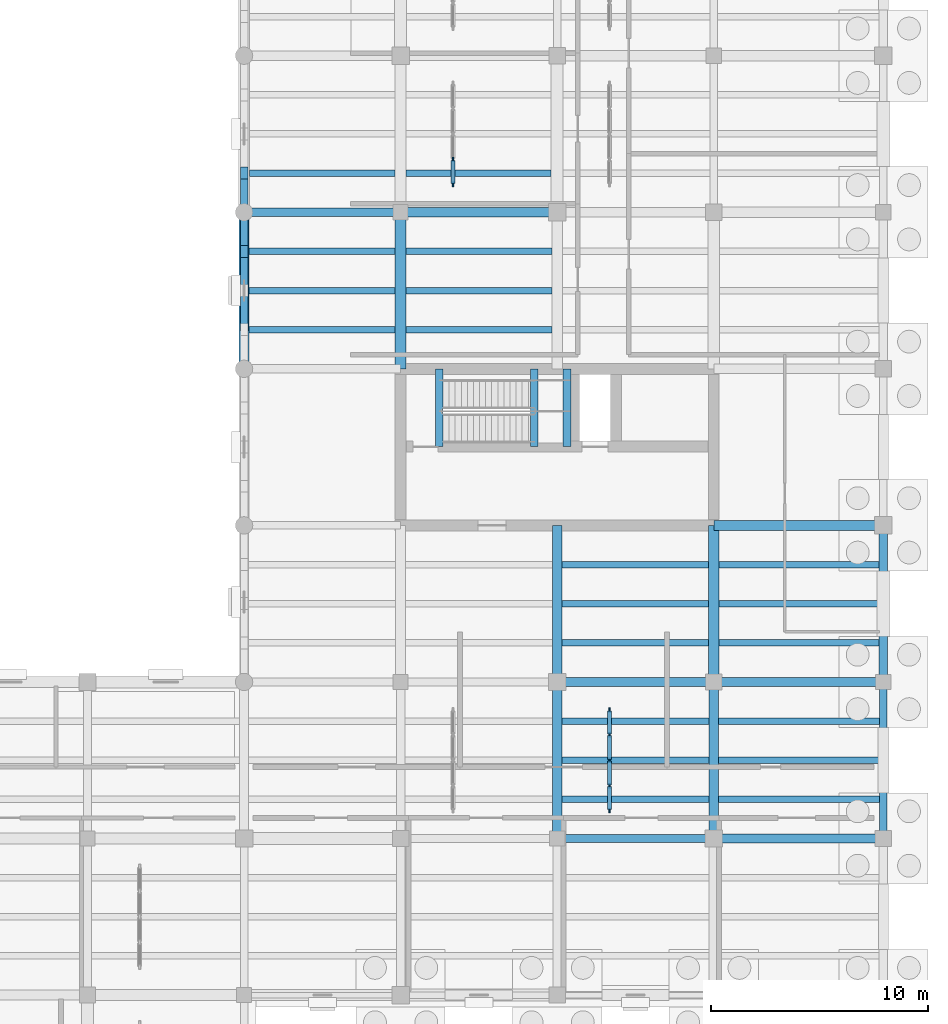
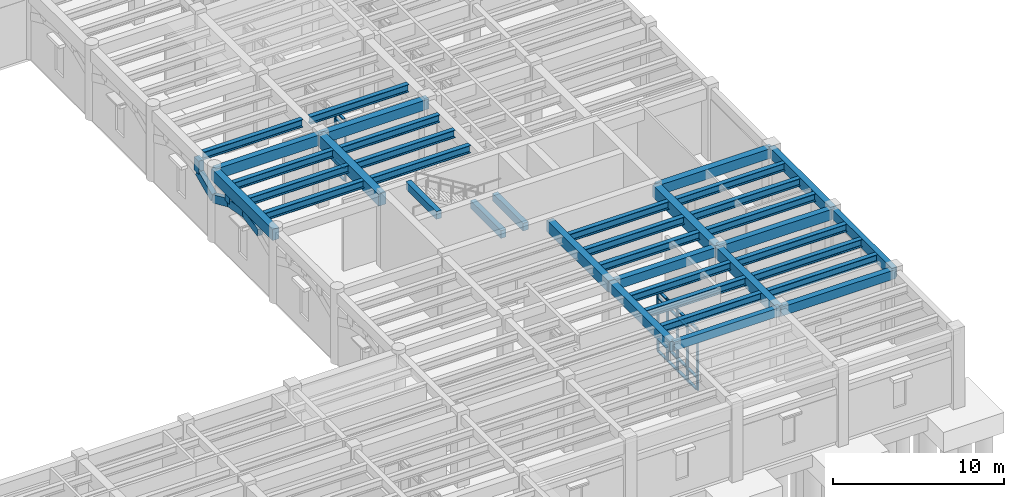
# One storey, part 39 of 100: 38 beams, 33 members, 2 elements without a shape of their own.
"""IFC4 building model written with IfcOpenShell, lengths in metres."""

from ifc_helpers import new_model, si_unit, direction, frame, origin, origin_2d, place, context, subcontext, project, spatial, rectangle, i_section, extrude, material, material_profile, profile_set, type_object, element, aggregate, save


model = new_model("IFC4")

# Units and contexts
model_context = context("Model", 3, precision=1e-05, world=origin(), true_north=direction((0.0, 1.0)))
body_context = subcontext(model_context, "Body", "Model", "MODEL_VIEW")
ifc_project = project(units=[si_unit("LENGTHUNIT", "METRE"), si_unit("AREAUNIT", "SQUARE_METRE"), si_unit("VOLUMEUNIT", "CUBIC_METRE"), si_unit("PLANEANGLEUNIT", "RADIAN"), si_unit("MASSUNIT", "GRAM", prefix="KILO")], contexts=[model_context])

# Site, building, storey
site_placement = place(None, origin())
site = spatial("IfcSite", under=ifc_project, at=site_placement, CompositionType="ELEMENT")
building_placement = place(site_placement, origin())
building = spatial("IfcBuilding", under=site, at=building_placement, Name="Mithqara Police Headquarters", CompositionType="ELEMENT")
storey_placement = place(building_placement, origin())
storey = spatial("IfcBuildingStorey", under=building, at=storey_placement, Name="L00", CompositionType="ELEMENT", Elevation=0.0)

# Members
ifc_material_1 = material(Name="Concrete C50/60", Category="concrete")
ifc_material_profile_1 = material_profile(ifc_material_1, rectangle(XDim=0.35009765625, YDim=0.550048828125, at=origin_2d()), Name="ARC 350x550")
ifc_profile_set_1 = profile_set([ifc_material_profile_1], Name="Concrete C50/60")
member_type_1 = type_object("IfcMemberType", Name="ARCH SEG 350X550", PredefinedType="STRUT", material=ifc_profile_set_1)
member_1_placement = place(storey_placement, frame((144.60009765625, 51.60009765625, 3.76318359375), z_axis=(0.0, 0.982926483452, 0.183998717738), x_axis=(-1.0, 0.0, 0.0)))
element("IfcMember", 1, at=member_1_placement, inside=storey, type_object=member_type_1, Name="East Courtyard Cloister Bay 3 Ottoman Arch Chord 2", PredefinedType="STRUT", context=body_context, shape_type="SweptSolid", body=[
    extrude(rectangle(XDim=0.35009765625, YDim=0.550048828125, at=origin_2d()), origin(), (0.0, 0.0, 1.0), 1.8310546875),
])
member_2_placement = place(storey_placement, frame((144.60009765625, 53.39990234375, 4.10009765625), z_axis=(0.0, 0.982930996603, -0.183974606715), x_axis=(-1.0, 0.0, 0.0)))
element("IfcMember", 2, at=member_2_placement, inside=storey, type_object=member_type_1, Name="East Courtyard Cloister Bay 3 Ottoman Arch Chord 3", PredefinedType="STRUT", context=body_context, shape_type="SweptSolid", body=[
    extrude(rectangle(XDim=0.35009765625, YDim=0.550048828125, at=origin_2d()), origin(), (0.0, 0.0, 1.0), 1.831298828125),
])
member_3_placement = place(storey_placement, frame((144.60009765625, 55.199951171875, 3.76318359375), z_axis=(0.0, 0.911312261811, -0.411715874691), x_axis=(-1.0, 0.0, 0.0)))
element("IfcMember", 3, at=member_3_placement, inside=storey, type_object=member_type_1, Name="East Courtyard Cloister Bay 3 Ottoman Arch Chord 4", PredefinedType="STRUT", context=body_context, shape_type="SweptSolid", body=[
    extrude(rectangle(XDim=0.35009765625, YDim=0.550048828125, at=origin_2d()), origin(), (0.0, 0.0, 1.0), 1.975341796875),
])
member_4_placement = place(storey_placement, frame((144.60009765625, 55.199951171875, 3.76318359375), z_axis=(0.0, 0.0, 1.0), x_axis=(1.0, 0.0, 0.0)))
element("IfcMember", 4, at=member_4_placement, inside=storey, type_object=member_type_1, Name="East Courtyard Cloister Bay 3 Arch Spandrel Post 3", PredefinedType="STRUT", context=body_context, shape_type="SweptSolid", body=[
    extrude(rectangle(XDim=0.35009765625, YDim=0.550048828125, at=origin_2d()), origin(), (0.0, 0.0, 1.0), 0.956787109375),
])
member_5_placement = place(storey_placement, frame((144.60009765625, 57.0, 2.949951171875), z_axis=(0.0, 0.911312261811, 0.411715874691), x_axis=(-1.0, 0.0, 0.0)))
element("IfcMember", 5, at=member_5_placement, inside=storey, type_object=member_type_1, Name="East Courtyard Cloister Bay 4 Ottoman Arch Chord 1", PredefinedType="STRUT", context=body_context, shape_type="SweptSolid", body=[
    extrude(rectangle(XDim=0.35009765625, YDim=0.550048828125, at=origin_2d()), origin(), (0.0, 0.0, 1.0), 1.975341796875),
])
member_6_placement = place(storey_placement, frame((144.60009765625, 58.800048828125, 3.76318359375), z_axis=(0.0, 0.0, 1.0), x_axis=(1.0, 0.0, 0.0)))
element("IfcMember", 6, at=member_6_placement, inside=storey, type_object=member_type_1, Name="East Courtyard Cloister Bay 4 Arch Spandrel Post 1", PredefinedType="STRUT", context=body_context, shape_type="SweptSolid", body=[
    extrude(rectangle(XDim=0.35009765625, YDim=0.550048828125, at=origin_2d()), origin(), (0.0, 0.0, 1.0), 0.931884765625),
])

# Beams
ifc_material_2 = material(Name="Steel S355JR", Category="steel")
ifc_material_profile_2 = material_profile(ifc_material_2, i_section(OverallWidth=0.300048828125, OverallDepth=0.550048828125, WebThickness=0.014892578125, FlangeThickness=0.029052734375, FilletRadius=0.027099609375, at=origin_2d()), Name="HEB 550")
ifc_profile_set_2 = profile_set([ifc_material_profile_2], Name="Steel S355JR")
beam_type_1 = type_object("IfcBeamType", Name="BEAM HEB550", PredefinedType="BEAM", material=ifc_profile_set_2)
for number, where, z_axis, x_axis, name in (
    (7, (144.824951171875, 51.60009765625, 4.844970703125), (1.0, 0.0, 0.0), (0.0, 1.0, 0.0), "L00 Composite Steel Joist 21-22/H.1"),
    (8, (144.824951171875, 53.39990234375, 4.844970703125), (1.0, 0.0, 0.0), (0.0, 1.0, 0.0), "L00 Composite Steel Joist 21-22/H.2"),
    (9, (144.824951171875, 55.199951171875, 4.844970703125), (1.0, 0.0, 0.0), (0.0, 1.0, 0.0), "L00 Composite Steel Joist 21-22/H.3"),
):
    element("IfcBeam", number, at=place(storey_placement, frame(where, z_axis=z_axis, x_axis=x_axis)), inside=storey, type_object=beam_type_1, Name=name, PredefinedType="BEAM", context=body_context, shape_type="SweptSolid", body=[
        extrude(i_section(OverallWidth=0.300048828125, OverallDepth=0.550048828125, WebThickness=0.014892578125, FlangeThickness=0.029052734375, FilletRadius=0.027099609375, at=origin_2d()), origin(), (0.0, 0.0, 1.0), 6.72509765625),
    ])
for number, where, z_axis, x_axis, name in (
    (10, (144.85009765625, 58.800048828125, 4.844970703125), (1.0, 0.0, 0.0), (0.0, 1.0, 0.0), "L00 Composite Steel Joist 21-22/J.1"),
    (11, (152.050048828125, 51.60009765625, 4.844970703125), (1.0, 0.0, 0.0), (0.0, 1.0, 0.0), "L00 Composite Steel Joist 22-23/H.1"),
    (12, (152.050048828125, 53.39990234375, 4.844970703125), (1.0, 0.0, 0.0), (0.0, 1.0, 0.0), "L00 Composite Steel Joist 22-23/H.2"),
    (13, (152.050048828125, 55.199951171875, 4.844970703125), (1.0, 0.0, 0.0), (0.0, 1.0, 0.0), "L00 Composite Steel Joist 22-23/H.3"),
):
    element("IfcBeam", number, at=place(storey_placement, frame(where, z_axis=z_axis, x_axis=x_axis)), inside=storey, type_object=beam_type_1, Name=name, PredefinedType="BEAM", context=body_context, shape_type="SweptSolid", body=[
        extrude(i_section(OverallWidth=0.300048828125, OverallDepth=0.550048828125, WebThickness=0.014892578125, FlangeThickness=0.029052734375, FilletRadius=0.027099609375, at=origin_2d()), origin(), (0.0, 0.0, 1.0), 6.699951171875),
    ])
beam_1_placement = place(storey_placement, frame((152.050048828125, 58.800048828125, 4.844970703125), z_axis=(1.0, 0.0, 0.0), x_axis=(0.0, 1.0, 0.0)))
element("IfcBeam", 14, at=beam_1_placement, inside=storey, type_object=beam_type_1, Name="L00 Composite Steel Joist 22-23/J.1", PredefinedType="BEAM", context=body_context, shape_type="SweptSolid", body=[
    extrude(i_section(OverallWidth=0.300048828125, OverallDepth=0.550048828125, WebThickness=0.014892578125, FlangeThickness=0.029052734375, FilletRadius=0.027099609375, at=origin_2d()), origin(), (0.0, 0.0, 1.0), 6.675048828125),
])
for number, where, z_axis, x_axis, name in (
    (15, (159.22509765625, 30.0, 4.844970703125), (1.0, 0.0, 0.0), (0.0, 1.0, 0.0), "L00 Composite Steel Joist 23-24/E.1"),
    (16, (159.22509765625, 31.800048828125, 4.844970703125), (1.0, 0.0, 0.0), (0.0, 1.0, 0.0), "L00 Composite Steel Joist 23-24/E.2"),
    (17, (159.22509765625, 33.60009765625, 4.844970703125), (1.0, 0.0, 0.0), (0.0, 1.0, 0.0), "L00 Composite Steel Joist 23-24/E.3"),
):
    element("IfcBeam", number, at=place(storey_placement, frame(where, z_axis=z_axis, x_axis=x_axis)), inside=storey, type_object=beam_type_1, Name=name, PredefinedType="BEAM", context=body_context, shape_type="SweptSolid", body=[
        extrude(i_section(OverallWidth=0.300048828125, OverallDepth=0.550048828125, WebThickness=0.014892578125, FlangeThickness=0.029052734375, FilletRadius=0.027099609375, at=origin_2d()), origin(), (0.0, 0.0, 1.0), 6.75),
    ])
for number, where, z_axis, x_axis, name in (
    (18, (159.22509765625, 37.199951171875, 4.844970703125), (1.0, 0.0, 0.0), (0.0, 1.0, 0.0), "L00 Composite Steel Joist 23-24/F.1"),
    (19, (159.22509765625, 39.0, 4.844970703125), (1.0, 0.0, 0.0), (0.0, 1.0, 0.0), "L00 Composite Steel Joist 23-24/F.2"),
    (20, (159.22509765625, 40.800048828125, 4.844970703125), (1.0, 0.0, 0.0), (0.0, 1.0, 0.0), "L00 Composite Steel Joist 23-24/F.3"),
):
    element("IfcBeam", number, at=place(storey_placement, frame(where, z_axis=z_axis, x_axis=x_axis)), inside=storey, type_object=beam_type_1, Name=name, PredefinedType="BEAM", context=body_context, shape_type="SweptSolid", body=[
        extrude(i_section(OverallWidth=0.300048828125, OverallDepth=0.550048828125, WebThickness=0.014892578125, FlangeThickness=0.029052734375, FilletRadius=0.027099609375, at=origin_2d()), origin(), (0.0, 0.0, 1.0), 6.724853515625),
    ])
for number, where, z_axis, x_axis, name in (
    (21, (166.425048828125, 30.0, 4.844970703125), (1.0, 0.0, 0.0), (0.0, 1.0, 0.0), "L00 Composite Steel Joist 24-25/E.1"),
    (22, (166.425048828125, 31.800048828125, 4.844970703125), (1.0, 0.0, 0.0), (0.0, 1.0, 0.0), "L00 Composite Steel Joist 24-25/E.2"),
    (23, (166.425048828125, 33.60009765625, 4.844970703125), (1.0, 0.0, 0.0), (0.0, 1.0, 0.0), "L00 Composite Steel Joist 24-25/E.3"),
):
    element("IfcBeam", number, at=place(storey_placement, frame(where, z_axis=z_axis, x_axis=x_axis)), inside=storey, type_object=beam_type_1, Name=name, PredefinedType="BEAM", context=body_context, shape_type="SweptSolid", body=[
        extrude(i_section(OverallWidth=0.300048828125, OverallDepth=0.550048828125, WebThickness=0.014892578125, FlangeThickness=0.029052734375, FilletRadius=0.027099609375, at=origin_2d()), origin(), (0.0, 0.0, 1.0), 7.39990234375),
    ])
for number, where, z_axis, x_axis, name in (
    (24, (166.449951171875, 37.199951171875, 4.844970703125), (1.0, 0.0, 0.0), (0.0, 1.0, 0.0), "L00 Composite Steel Joist 24-25/F.1"),
    (25, (166.449951171875, 39.0, 4.844970703125), (1.0, 0.0, 0.0), (0.0, 1.0, 0.0), "L00 Composite Steel Joist 24-25/F.2"),
    (26, (166.449951171875, 40.800048828125, 4.844970703125), (1.0, 0.0, 0.0), (0.0, 1.0, 0.0), "L00 Composite Steel Joist 24-25/F.3"),
):
    element("IfcBeam", number, at=place(storey_placement, frame(where, z_axis=z_axis, x_axis=x_axis)), inside=storey, type_object=beam_type_1, Name=name, PredefinedType="BEAM", context=body_context, shape_type="SweptSolid", body=[
        extrude(i_section(OverallWidth=0.300048828125, OverallDepth=0.550048828125, WebThickness=0.014892578125, FlangeThickness=0.029052734375, FilletRadius=0.027099609375, at=origin_2d()), origin(), (0.0, 0.0, 1.0), 7.35009765625),
    ])
ifc_material_3 = material(Name="Concrete C40/50", Category="concrete")
ifc_material_profile_3 = material_profile(ifc_material_3, rectangle(XDim=0.35009765625, YDim=0.550048828125, at=origin_2d()), Name="RC 350x550")
ifc_profile_set_3 = profile_set([ifc_material_profile_3], Name="Concrete C40/50")
beam_type_2 = type_object("IfcBeamType", Name="BEAM RC350X550", PredefinedType="BEAM", material=ifc_profile_set_3)
for number, where, z_axis, x_axis, name in (
    (27, (157.949951171875, 46.219970703125, 2.235107421875), (0.0, 1.0, 0.0), (-1.0, 0.0, 0.0), "L00 ST-04 Half-Landing Bearer LF"),
    (28, (159.449951171875, 46.219970703125, 2.235107421875), (0.0, 1.0, 0.0), (-1.0, 0.0, 0.0), "L00 ST-04 Half-Landing Bearer LB"),
    (29, (153.576904296875, 46.219970703125, 5.125), (0.0, 1.0, 0.0), (-1.0, 0.0, 0.0), "L00 ST-04 Stairwell Trimmer Beam"),
):
    element("IfcBeam", number, at=place(storey_placement, frame(where, z_axis=z_axis, x_axis=x_axis)), inside=storey, type_object=beam_type_2, Name=name, PredefinedType="BEAM", context=body_context, shape_type="SweptSolid", body=[
        extrude(rectangle(XDim=0.35009765625, YDim=0.550048828125, at=origin_2d()), origin(), (0.0, 0.0, 1.0), 3.580078125),
    ])
ifc_material_profile_4 = material_profile(ifc_material_3, rectangle(XDim=0.35009765625, YDim=0.60009765625, at=origin_2d()), Name="RC 350x600")
ifc_profile_set_4 = profile_set([ifc_material_profile_4], Name="Concrete C40/50")
beam_type_3 = type_object("IfcBeamType", Name="BEAM RC350X600", PredefinedType="BEAM", material=ifc_profile_set_4)
beam_2_placement = place(storey_placement, frame((159.0, 28.199951171875, 4.820068359375), z_axis=(1.0, 0.0, 0.0), x_axis=(0.0, 1.0, 0.0)))
element("IfcBeam", 30, at=beam_2_placement, inside=storey, type_object=beam_type_3, Name="L00 Girder 23-24/E", PredefinedType="BEAM", context=body_context, shape_type="SweptSolid", body=[
    extrude(rectangle(XDim=0.35009765625, YDim=0.60009765625, at=origin_2d()), origin(), (0.0, 0.0, 1.0), 7.199951171875),
])
ifc_material_profile_5 = material_profile(ifc_material_3, rectangle(XDim=0.39990234375, YDim=0.64990234375, at=origin_2d()), Name="RC 400x650")
ifc_profile_set_5 = profile_set([ifc_material_profile_5], Name="Concrete C40/50")
beam_type_4 = type_object("IfcBeamType", Name="BEAM RC400X650", PredefinedType="BEAM", material=ifc_profile_set_5)
beam_3_placement = place(storey_placement, frame((159.0, 35.39990234375, 4.794921875), z_axis=(1.0, 0.0, 0.0), x_axis=(0.0, 1.0, 0.0)))
element("IfcBeam", 31, at=beam_3_placement, inside=storey, type_object=beam_type_4, Name="L00 Girder 23-24/F", PredefinedType="BEAM", context=body_context, shape_type="SweptSolid", body=[
    extrude(rectangle(XDim=0.39990234375, YDim=0.64990234375, at=origin_2d()), origin(), (0.0, 0.0, 1.0), 7.199951171875),
])
beam_4_placement = place(storey_placement, frame((166.199951171875, 28.199951171875, 4.794921875), z_axis=(1.0, 0.0, 0.0), x_axis=(0.0, 1.0, 0.0)))
element("IfcBeam", 32, at=beam_4_placement, inside=storey, type_object=beam_type_4, Name="L00 Girder 24-25/E", PredefinedType="BEAM", context=body_context, shape_type="SweptSolid", body=[
    extrude(rectangle(XDim=0.39990234375, YDim=0.64990234375, at=origin_2d()), origin(), (0.0, 0.0, 1.0), 7.800048828125),
])
ifc_material_profile_6 = material_profile(ifc_material_3, rectangle(XDim=0.39990234375, YDim=0.75, at=origin_2d()), Name="RC 400x750")
ifc_profile_set_6 = profile_set([ifc_material_profile_6], Name="Concrete C40/50")
beam_type_5 = type_object("IfcBeamType", Name="BEAM RC400X750", PredefinedType="BEAM", material=ifc_profile_set_6)
beam_5_placement = place(storey_placement, frame((144.60009765625, 57.0, 4.7451171875), z_axis=(1.0, 0.0, 0.0), x_axis=(0.0, 1.0, 0.0)))
element("IfcBeam", 33, at=beam_5_placement, inside=storey, type_object=beam_type_5, Name="L00 Girder 21-22/J", PredefinedType="BEAM", context=body_context, shape_type="SweptSolid", body=[
    extrude(rectangle(XDim=0.39990234375, YDim=0.75, at=origin_2d()), origin(), (0.0, 0.0, 1.0), 7.199951171875),
])
beam_6_placement = place(storey_placement, frame((166.199951171875, 35.39990234375, 4.7451171875), z_axis=(1.0, 0.0, 0.0), x_axis=(0.0, 1.0, 0.0)))
element("IfcBeam", 34, at=beam_6_placement, inside=storey, type_object=beam_type_5, Name="L00 Girder 24-25/F", PredefinedType="BEAM", context=body_context, shape_type="SweptSolid", body=[
    extrude(rectangle(XDim=0.39990234375, YDim=0.75, at=origin_2d()), origin(), (0.0, 0.0, 1.0), 7.800048828125),
])
ifc_material_profile_7 = material_profile(ifc_material_3, rectangle(XDim=0.449951171875, YDim=0.699951171875, at=origin_2d()), Name="RC 450x700")
ifc_profile_set_7 = profile_set([ifc_material_profile_7], Name="Concrete C40/50")
beam_type_6 = type_object("IfcBeamType", Name="BEAM RC450X700", PredefinedType="BEAM", material=ifc_profile_set_7)
for number, where, z_axis, x_axis, name in (
    (35, (151.800048828125, 57.0, 4.77001953125), (1.0, 0.0, 0.0), (0.0, 1.0, 0.0), "L00 Girder 22-23/J"),
    (36, (159.0, 28.199951171875, 4.77001953125), (0.0, 1.0, 0.0), (-1.0, 0.0, 0.0), "L00 Girder 23/E-F"),
):
    element("IfcBeam", number, at=place(storey_placement, frame(where, z_axis=z_axis, x_axis=x_axis)), inside=storey, type_object=beam_type_6, Name=name, PredefinedType="BEAM", context=body_context, shape_type="SweptSolid", body=[
        extrude(rectangle(XDim=0.449951171875, YDim=0.699951171875, at=origin_2d()), origin(), (0.0, 0.0, 1.0), 7.199951171875),
    ])
beam_7_placement = place(storey_placement, frame((166.199951171875, 42.60009765625, 4.77001953125), z_axis=(1.0, 0.0, 0.0), x_axis=(0.0, 1.0, 0.0)))
element("IfcBeam", 37, at=beam_7_placement, inside=storey, type_object=beam_type_6, Name="L00 Girder 24-25/G", PredefinedType="BEAM", context=body_context, shape_type="SweptSolid", body=[
    extrude(rectangle(XDim=0.449951171875, YDim=0.699951171875, at=origin_2d()), origin(), (0.0, 0.0, 1.0), 7.800048828125),
])
ifc_material_profile_8 = material_profile(ifc_material_3, rectangle(XDim=0.449951171875, YDim=0.800048828125, at=origin_2d()), Name="RC 450x800")
ifc_profile_set_8 = profile_set([ifc_material_profile_8], Name="Concrete C40/50")
beam_type_7 = type_object("IfcBeamType", Name="BEAM RC450X800", PredefinedType="BEAM", material=ifc_profile_set_8)
beam_8_placement = place(storey_placement, frame((144.60009765625, 49.800048828125, 4.719970703125), z_axis=(0.0, 1.0, 0.0), x_axis=(-1.0, 0.0, 0.0)))
element("IfcBeam", 38, at=beam_8_placement, inside=storey, type_object=beam_type_7, Name="L00 Girder 21/H-J", PredefinedType="BEAM", context=body_context, shape_type="SweptSolid", body=[
    extrude(rectangle(XDim=0.449951171875, YDim=0.800048828125, at=origin_2d()), origin(), (0.0, 0.0, 1.0), 7.199951171875),
])
beam_9_placement = place(storey_placement, frame((159.0, 35.39990234375, 4.719970703125), z_axis=(0.0, 1.0, 0.0), x_axis=(-1.0, 0.0, 0.0)))
element("IfcBeam", 39, at=beam_9_placement, inside=storey, type_object=beam_type_7, Name="L00 Girder 23/F-G", PredefinedType="BEAM", context=body_context, shape_type="SweptSolid", body=[
    extrude(rectangle(XDim=0.449951171875, YDim=0.800048828125, at=origin_2d()), origin(), (0.0, 0.0, 1.0), 7.2001953125),
])
beam_10_placement = place(storey_placement, frame((166.199951171875, 28.199951171875, 4.719970703125), z_axis=(0.0, 1.0, 0.0), x_axis=(-1.0, 0.0, 0.0)))
element("IfcBeam", 40, at=beam_10_placement, inside=storey, type_object=beam_type_7, Name="L00 Girder 24/E-F", PredefinedType="BEAM", context=body_context, shape_type="SweptSolid", body=[
    extrude(rectangle(XDim=0.449951171875, YDim=0.800048828125, at=origin_2d()), origin(), (0.0, 0.0, 1.0), 7.199951171875),
])
ifc_material_profile_9 = material_profile(ifc_material_3, rectangle(XDim=0.5, YDim=0.85009765625, at=origin_2d()), Name="RC 500x850")
ifc_profile_set_9 = profile_set([ifc_material_profile_9], Name="Concrete C40/50")
beam_type_8 = type_object("IfcBeamType", Name="BEAM RC500X850", PredefinedType="BEAM", material=ifc_profile_set_9)
beam_11_placement = place(storey_placement, frame((151.800048828125, 49.800048828125, 4.695068359375), z_axis=(0.0, 1.0, 0.0), x_axis=(-1.0, 0.0, 0.0)))
element("IfcBeam", 41, at=beam_11_placement, inside=storey, type_object=beam_type_8, Name="L00 Girder 22/H-J", PredefinedType="BEAM", context=body_context, shape_type="SweptSolid", body=[
    extrude(rectangle(XDim=0.5, YDim=0.85009765625, at=origin_2d()), origin(), (0.0, 0.0, 1.0), 7.199951171875),
])
beam_12_placement = place(storey_placement, frame((166.199951171875, 35.39990234375, 4.695068359375), z_axis=(0.0, 1.0, 0.0), x_axis=(-1.0, 0.0, 0.0)))
element("IfcBeam", 42, at=beam_12_placement, inside=storey, type_object=beam_type_8, Name="L00 Girder 24/F-G", PredefinedType="BEAM", context=body_context, shape_type="SweptSolid", body=[
    extrude(rectangle(XDim=0.5, YDim=0.85009765625, at=origin_2d()), origin(), (0.0, 0.0, 1.0), 7.2001953125),
])

# Curtain wall, members
ifc_material_4 = material(Name="Bronze anodised aluminium 6063-T6", Category="aluminium")
curtain_wall_type = type_object("IfcCurtainWallType", Name="CURTAIN WALL 4700X4400", PredefinedType="USERDEFINED", material=ifc_material_4)
curtain_wall_1_placement = place(storey_placement, origin())
curtain_wall_1 = element("IfcCurtainWall", 43, at=curtain_wall_1_placement, inside=storey, type_object=curtain_wall_type, Name="L00 Unitised Glazing CW-14 (CW-INT-L00-X21-Y08-0)", ObjectType="UNITISED GLAZING", PredefinedType="USERDEFINED")
ifc_material_profile_10 = material_profile(ifc_material_4, rectangle(XDim=0.074951171875, YDim=0.219970703125, at=origin_2d()), Name="CWM 75x220")
ifc_profile_set_10 = profile_set([ifc_material_profile_10], Name="Bronze anodised aluminium 6063-T6")
member_type_2 = type_object("IfcMemberType", Name="CWMULLION 75X220", PredefinedType="MULLION", material=ifc_profile_set_10)
member_7_placement = place(storey_placement, frame((154.199951171875, 58.28759765625, 0.0), z_axis=(0.0, 0.0, 1.0), x_axis=(-1.0, 0.0, 0.0)))
member_7 = element("IfcMember", 44, at=member_7_placement, type_object=member_type_2, Name="CW-14 mullion 1", PredefinedType="MULLION", context=body_context, shape_type="SweptSolid", body=[
    extrude(rectangle(XDim=0.074951171875, YDim=0.219970703125, at=origin_2d()), origin(), (0.0, 0.0, 1.0), 4.39990234375),
])
member_8_placement = place(storey_placement, frame((154.199951171875, 59.425048828125, 0.0), z_axis=(0.0, 0.0, 1.0), x_axis=(-1.0, 0.0, 0.0)))
member_8 = element("IfcMember", 45, at=member_8_placement, type_object=member_type_2, Name="CW-14 mullion 2", PredefinedType="MULLION", context=body_context, shape_type="SweptSolid", body=[
    extrude(rectangle(XDim=0.074951171875, YDim=0.219970703125, at=origin_2d()), origin(), (0.0, 0.0, 1.0), 4.39990234375),
])

curtain_wall_2_placement = place(storey_placement, origin())
curtain_wall_2 = element("IfcCurtainWall", 46, at=curtain_wall_2_placement, inside=storey, type_object=curtain_wall_type, Name="L00 Unitised Glazing CW-14 (CW-INT-L00-X22-Y04-0)", ObjectType="UNITISED GLAZING", PredefinedType="USERDEFINED")
member_9_placement = place(storey_placement, frame((161.39990234375, 29.487548828125, 0.0), z_axis=(0.0, 0.0, 1.0), x_axis=(-1.0, 0.0, 0.0)))
member_9 = element("IfcMember", 47, at=member_9_placement, type_object=member_type_2, Name="CW-14 mullion 1", PredefinedType="MULLION", context=body_context, shape_type="SweptSolid", body=[
    extrude(rectangle(XDim=0.074951171875, YDim=0.219970703125, at=origin_2d()), origin(), (0.0, 0.0, 1.0), 4.39990234375),
])
member_10_placement = place(storey_placement, frame((161.39990234375, 30.625, 0.0), z_axis=(0.0, 0.0, 1.0), x_axis=(-1.0, 0.0, 0.0)))
member_10 = element("IfcMember", 48, at=member_10_placement, type_object=member_type_2, Name="CW-14 mullion 2", PredefinedType="MULLION", context=body_context, shape_type="SweptSolid", body=[
    extrude(rectangle(XDim=0.074951171875, YDim=0.219970703125, at=origin_2d()), origin(), (0.0, 0.0, 1.0), 4.39990234375),
])
member_11_placement = place(storey_placement, frame((161.39990234375, 31.800048828125, 0.0), z_axis=(0.0, 0.0, 1.0), x_axis=(-1.0, 0.0, 0.0)))
member_11 = element("IfcMember", 49, at=member_11_placement, type_object=member_type_2, Name="CW-14 mullion 3", PredefinedType="MULLION", context=body_context, shape_type="SweptSolid", body=[
    extrude(rectangle(XDim=0.074951171875, YDim=0.219970703125, at=origin_2d()), origin(), (0.0, 0.0, 1.0), 4.39990234375),
])
member_12_placement = place(storey_placement, frame((161.39990234375, 32.97509765625, 0.0), z_axis=(0.0, 0.0, 1.0), x_axis=(-1.0, 0.0, 0.0)))
member_12 = element("IfcMember", 50, at=member_12_placement, type_object=member_type_2, Name="CW-14 mullion 4", PredefinedType="MULLION", context=body_context, shape_type="SweptSolid", body=[
    extrude(rectangle(XDim=0.074951171875, YDim=0.219970703125, at=origin_2d()), origin(), (0.0, 0.0, 1.0), 4.39990234375),
])
member_13_placement = place(storey_placement, frame((161.39990234375, 34.112548828125, 0.0), z_axis=(0.0, 0.0, 1.0), x_axis=(-1.0, 0.0, 0.0)))
member_13 = element("IfcMember", 51, at=member_13_placement, type_object=member_type_2, Name="CW-14 mullion 5", PredefinedType="MULLION", context=body_context, shape_type="SweptSolid", body=[
    extrude(rectangle(XDim=0.074951171875, YDim=0.219970703125, at=origin_2d()), origin(), (0.0, 0.0, 1.0), 4.39990234375),
])

# Member
ifc_material_profile_11 = material_profile(ifc_material_4, rectangle(XDim=0.179931640625, YDim=0.074951171875, at=origin_2d()), Name="CWT 180x75")
ifc_profile_set_11 = profile_set([ifc_material_profile_11], Name="Bronze anodised aluminium 6063-T6")
member_type_3 = type_object("IfcMemberType", Name="CWTRANSOM 180X75", PredefinedType="USERDEFINED", material=ifc_profile_set_11)
member_14_placement = place(storey_placement, frame((154.199951171875, 58.324951171875, 0.03759765625), z_axis=(0.0, 1.0, 0.0), x_axis=(-1.0, 0.0, 0.0)))
member_14 = element("IfcMember", 52, at=member_14_placement, type_object=member_type_3, Name="CW-14 transom 1.1", ObjectType="TRANSOM", PredefinedType="USERDEFINED", context=body_context, shape_type="SweptSolid", body=[
    extrude(rectangle(XDim=0.179931640625, YDim=0.074951171875, at=origin_2d()), origin(), (0.0, 0.0, 1.0), 1.0625),
])

member_15_placement = place(storey_placement, frame((154.199951171875, 58.324951171875, 0.89990234375), z_axis=(0.0, 1.0, 0.0), x_axis=(-1.0, 0.0, 0.0)))
member_15 = element("IfcMember", 53, at=member_15_placement, type_object=member_type_3, Name="CW-14 transom 1.2", ObjectType="TRANSOM", PredefinedType="USERDEFINED", context=body_context, shape_type="SweptSolid", body=[
    extrude(rectangle(XDim=0.179931640625, YDim=0.074951171875, at=origin_2d()), origin(), (0.0, 0.0, 1.0), 1.0625),
])

member_16_placement = place(storey_placement, frame((154.199951171875, 58.324951171875, 3.85009765625), z_axis=(0.0, 1.0, 0.0), x_axis=(-1.0, 0.0, 0.0)))
member_16 = element("IfcMember", 54, at=member_16_placement, type_object=member_type_3, Name="CW-14 transom 1.3", ObjectType="TRANSOM", PredefinedType="USERDEFINED", context=body_context, shape_type="SweptSolid", body=[
    extrude(rectangle(XDim=0.179931640625, YDim=0.074951171875, at=origin_2d()), origin(), (0.0, 0.0, 1.0), 1.0625),
])

member_17_placement = place(storey_placement, frame((154.199951171875, 58.324951171875, 4.362548828125), z_axis=(0.0, 1.0, 0.0), x_axis=(-1.0, 0.0, 0.0)))
member_17 = element("IfcMember", 55, at=member_17_placement, type_object=member_type_3, Name="CW-14 transom 1.4", ObjectType="TRANSOM", PredefinedType="USERDEFINED", context=body_context, shape_type="SweptSolid", body=[
    extrude(rectangle(XDim=0.179931640625, YDim=0.074951171875, at=origin_2d()), origin(), (0.0, 0.0, 1.0), 1.0625),
])

aggregate(curtain_wall_1, [member_7, member_8, member_14, member_15, member_16, member_17])

member_18_placement = place(storey_placement, frame((161.39990234375, 29.52490234375, 0.03759765625), z_axis=(0.0, 1.0, 0.0), x_axis=(-1.0, 0.0, 0.0)))
member_18 = element("IfcMember", 56, at=member_18_placement, type_object=member_type_3, Name="CW-14 transom 1.1", ObjectType="TRANSOM", PredefinedType="USERDEFINED", context=body_context, shape_type="SweptSolid", body=[
    extrude(rectangle(XDim=0.179931640625, YDim=0.074951171875, at=origin_2d()), origin(), (0.0, 0.0, 1.0), 1.0625),
])

member_19_placement = place(storey_placement, frame((161.39990234375, 29.52490234375, 0.89990234375), z_axis=(0.0, 1.0, 0.0), x_axis=(-1.0, 0.0, 0.0)))
member_19 = element("IfcMember", 57, at=member_19_placement, type_object=member_type_3, Name="CW-14 transom 1.2", ObjectType="TRANSOM", PredefinedType="USERDEFINED", context=body_context, shape_type="SweptSolid", body=[
    extrude(rectangle(XDim=0.179931640625, YDim=0.074951171875, at=origin_2d()), origin(), (0.0, 0.0, 1.0), 1.0625),
])

member_20_placement = place(storey_placement, frame((161.39990234375, 29.52490234375, 3.85009765625), z_axis=(0.0, 1.0, 0.0), x_axis=(-1.0, 0.0, 0.0)))
member_20 = element("IfcMember", 58, at=member_20_placement, type_object=member_type_3, Name="CW-14 transom 1.3", ObjectType="TRANSOM", PredefinedType="USERDEFINED", context=body_context, shape_type="SweptSolid", body=[
    extrude(rectangle(XDim=0.179931640625, YDim=0.074951171875, at=origin_2d()), origin(), (0.0, 0.0, 1.0), 1.0625),
])

member_21_placement = place(storey_placement, frame((161.39990234375, 29.52490234375, 4.362548828125), z_axis=(0.0, 1.0, 0.0), x_axis=(-1.0, 0.0, 0.0)))
member_21 = element("IfcMember", 59, at=member_21_placement, type_object=member_type_3, Name="CW-14 transom 1.4", ObjectType="TRANSOM", PredefinedType="USERDEFINED", context=body_context, shape_type="SweptSolid", body=[
    extrude(rectangle(XDim=0.179931640625, YDim=0.074951171875, at=origin_2d()), origin(), (0.0, 0.0, 1.0), 1.0625),
])

member_22_placement = place(storey_placement, frame((161.39990234375, 30.66259765625, 0.03759765625), z_axis=(0.0, 1.0, 0.0), x_axis=(-1.0, 0.0, 0.0)))
member_22 = element("IfcMember", 60, at=member_22_placement, type_object=member_type_3, Name="CW-14 transom 2.1", ObjectType="TRANSOM", PredefinedType="USERDEFINED", context=body_context, shape_type="SweptSolid", body=[
    extrude(rectangle(XDim=0.179931640625, YDim=0.074951171875, at=origin_2d()), origin(), (0.0, 0.0, 1.0), 1.099853515625),
])

member_23_placement = place(storey_placement, frame((161.39990234375, 30.66259765625, 0.89990234375), z_axis=(0.0, 1.0, 0.0), x_axis=(-1.0, 0.0, 0.0)))
member_23 = element("IfcMember", 61, at=member_23_placement, type_object=member_type_3, Name="CW-14 transom 2.2", ObjectType="TRANSOM", PredefinedType="USERDEFINED", context=body_context, shape_type="SweptSolid", body=[
    extrude(rectangle(XDim=0.179931640625, YDim=0.074951171875, at=origin_2d()), origin(), (0.0, 0.0, 1.0), 1.099853515625),
])

member_24_placement = place(storey_placement, frame((161.39990234375, 30.66259765625, 3.85009765625), z_axis=(0.0, 1.0, 0.0), x_axis=(-1.0, 0.0, 0.0)))
member_24 = element("IfcMember", 62, at=member_24_placement, type_object=member_type_3, Name="CW-14 transom 2.3", ObjectType="TRANSOM", PredefinedType="USERDEFINED", context=body_context, shape_type="SweptSolid", body=[
    extrude(rectangle(XDim=0.179931640625, YDim=0.074951171875, at=origin_2d()), origin(), (0.0, 0.0, 1.0), 1.099853515625),
])

member_25_placement = place(storey_placement, frame((161.39990234375, 30.66259765625, 4.362548828125), z_axis=(0.0, 1.0, 0.0), x_axis=(-1.0, 0.0, 0.0)))
member_25 = element("IfcMember", 63, at=member_25_placement, type_object=member_type_3, Name="CW-14 transom 2.4", ObjectType="TRANSOM", PredefinedType="USERDEFINED", context=body_context, shape_type="SweptSolid", body=[
    extrude(rectangle(XDim=0.179931640625, YDim=0.074951171875, at=origin_2d()), origin(), (0.0, 0.0, 1.0), 1.099853515625),
])

member_26_placement = place(storey_placement, frame((161.39990234375, 31.83740234375, 0.03759765625), z_axis=(0.0, 1.0, 0.0), x_axis=(-1.0, 0.0, 0.0)))
member_26 = element("IfcMember", 64, at=member_26_placement, type_object=member_type_3, Name="CW-14 transom 3.1", ObjectType="TRANSOM", PredefinedType="USERDEFINED", context=body_context, shape_type="SweptSolid", body=[
    extrude(rectangle(XDim=0.179931640625, YDim=0.074951171875, at=origin_2d()), origin(), (0.0, 0.0, 1.0), 1.10009765625),
])

member_27_placement = place(storey_placement, frame((161.39990234375, 31.83740234375, 0.89990234375), z_axis=(0.0, 1.0, 0.0), x_axis=(-1.0, 0.0, 0.0)))
member_27 = element("IfcMember", 65, at=member_27_placement, type_object=member_type_3, Name="CW-14 transom 3.2", ObjectType="TRANSOM", PredefinedType="USERDEFINED", context=body_context, shape_type="SweptSolid", body=[
    extrude(rectangle(XDim=0.179931640625, YDim=0.074951171875, at=origin_2d()), origin(), (0.0, 0.0, 1.0), 1.10009765625),
])

member_28_placement = place(storey_placement, frame((161.39990234375, 31.83740234375, 3.85009765625), z_axis=(0.0, 1.0, 0.0), x_axis=(-1.0, 0.0, 0.0)))
member_28 = element("IfcMember", 66, at=member_28_placement, type_object=member_type_3, Name="CW-14 transom 3.3", ObjectType="TRANSOM", PredefinedType="USERDEFINED", context=body_context, shape_type="SweptSolid", body=[
    extrude(rectangle(XDim=0.179931640625, YDim=0.074951171875, at=origin_2d()), origin(), (0.0, 0.0, 1.0), 1.10009765625),
])

member_29_placement = place(storey_placement, frame((161.39990234375, 31.83740234375, 4.362548828125), z_axis=(0.0, 1.0, 0.0), x_axis=(-1.0, 0.0, 0.0)))
member_29 = element("IfcMember", 67, at=member_29_placement, type_object=member_type_3, Name="CW-14 transom 3.4", ObjectType="TRANSOM", PredefinedType="USERDEFINED", context=body_context, shape_type="SweptSolid", body=[
    extrude(rectangle(XDim=0.179931640625, YDim=0.074951171875, at=origin_2d()), origin(), (0.0, 0.0, 1.0), 1.10009765625),
])

member_30_placement = place(storey_placement, frame((161.39990234375, 33.012451171875, 0.03759765625), z_axis=(0.0, 1.0, 0.0), x_axis=(-1.0, 0.0, 0.0)))
member_30 = element("IfcMember", 68, at=member_30_placement, type_object=member_type_3, Name="CW-14 transom 4.1", ObjectType="TRANSOM", PredefinedType="USERDEFINED", context=body_context, shape_type="SweptSolid", body=[
    extrude(rectangle(XDim=0.179931640625, YDim=0.074951171875, at=origin_2d()), origin(), (0.0, 0.0, 1.0), 1.0625),
])

member_31_placement = place(storey_placement, frame((161.39990234375, 33.012451171875, 0.89990234375), z_axis=(0.0, 1.0, 0.0), x_axis=(-1.0, 0.0, 0.0)))
member_31 = element("IfcMember", 69, at=member_31_placement, type_object=member_type_3, Name="CW-14 transom 4.2", ObjectType="TRANSOM", PredefinedType="USERDEFINED", context=body_context, shape_type="SweptSolid", body=[
    extrude(rectangle(XDim=0.179931640625, YDim=0.074951171875, at=origin_2d()), origin(), (0.0, 0.0, 1.0), 1.0625),
])

member_32_placement = place(storey_placement, frame((161.39990234375, 33.012451171875, 3.85009765625), z_axis=(0.0, 1.0, 0.0), x_axis=(-1.0, 0.0, 0.0)))
member_32 = element("IfcMember", 70, at=member_32_placement, type_object=member_type_3, Name="CW-14 transom 4.3", ObjectType="TRANSOM", PredefinedType="USERDEFINED", context=body_context, shape_type="SweptSolid", body=[
    extrude(rectangle(XDim=0.179931640625, YDim=0.074951171875, at=origin_2d()), origin(), (0.0, 0.0, 1.0), 1.0625),
])

member_33_placement = place(storey_placement, frame((161.39990234375, 33.012451171875, 4.362548828125), z_axis=(0.0, 1.0, 0.0), x_axis=(-1.0, 0.0, 0.0)))
member_33 = element("IfcMember", 71, at=member_33_placement, type_object=member_type_3, Name="CW-14 transom 4.4", ObjectType="TRANSOM", PredefinedType="USERDEFINED", context=body_context, shape_type="SweptSolid", body=[
    extrude(rectangle(XDim=0.179931640625, YDim=0.074951171875, at=origin_2d()), origin(), (0.0, 0.0, 1.0), 1.0625),
])

aggregate(curtain_wall_2, [member_9, member_10, member_11, member_12, member_13, member_18, member_19, member_20, member_21, member_22, member_23, member_24, member_25, member_26, member_27, member_28, member_29, member_30, member_31, member_32, member_33])

# Beams
ifc_material_profile_12 = material_profile(ifc_material_3, rectangle(XDim=0.35009765625, YDim=0.699951171875, at=origin_2d()), Name="SPB 350x700")
ifc_profile_set_12 = profile_set([ifc_material_profile_12], Name="Concrete C40/50")
beam_type_9 = type_object("IfcBeamType", Name="SPANDREL 350X700", PredefinedType="SPANDREL", material=ifc_profile_set_12)
beam_13_placement = place(storey_placement, frame((174.0, 28.199951171875, 4.77001953125), z_axis=(0.0, 1.0, 0.0), x_axis=(-1.0, 0.0, 0.0)))
element("IfcBeam", 72, at=beam_13_placement, inside=storey, type_object=beam_type_9, Name="L00 Girder 25/E-F", PredefinedType="SPANDREL", context=body_context, shape_type="SweptSolid", body=[
    extrude(rectangle(XDim=0.35009765625, YDim=0.699951171875, at=origin_2d()), origin(), (0.0, 0.0, 1.0), 7.199951171875),
])
ifc_material_profile_13 = material_profile(ifc_material_3, rectangle(XDim=0.39990234375, YDim=0.75, at=origin_2d()), Name="SPB 400x750")
ifc_profile_set_13 = profile_set([ifc_material_profile_13], Name="Concrete C40/50")
beam_type_10 = type_object("IfcBeamType", Name="SPANDREL 400X750", PredefinedType="SPANDREL", material=ifc_profile_set_13)
beam_14_placement = place(storey_placement, frame((174.0, 35.39990234375, 4.7451171875), z_axis=(0.0, 1.0, 0.0), x_axis=(-1.0, 0.0, 0.0)))
element("IfcBeam", 73, at=beam_14_placement, inside=storey, type_object=beam_type_10, Name="L00 Girder 25/F-G", PredefinedType="SPANDREL", context=body_context, shape_type="SweptSolid", body=[
    extrude(rectangle(XDim=0.39990234375, YDim=0.75, at=origin_2d()), origin(), (0.0, 0.0, 1.0), 7.2001953125),
])

save(model, "model.ifc")
